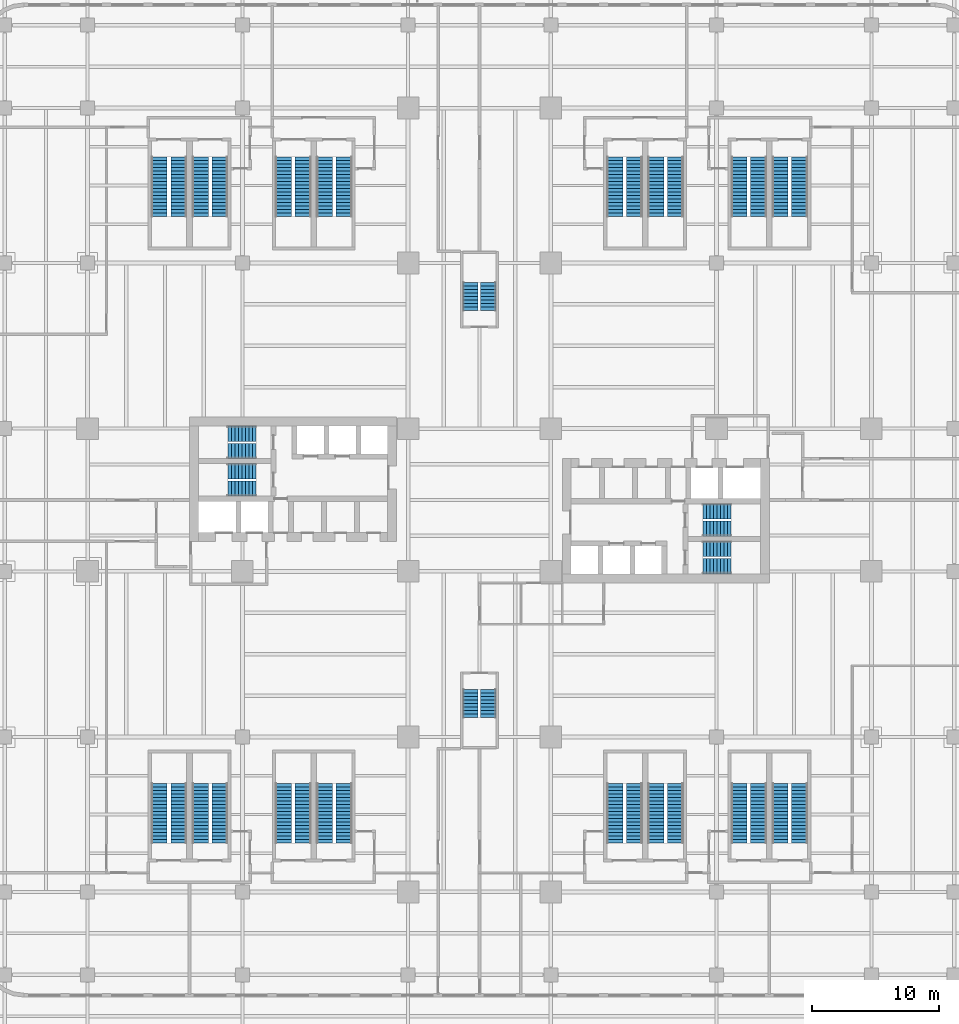
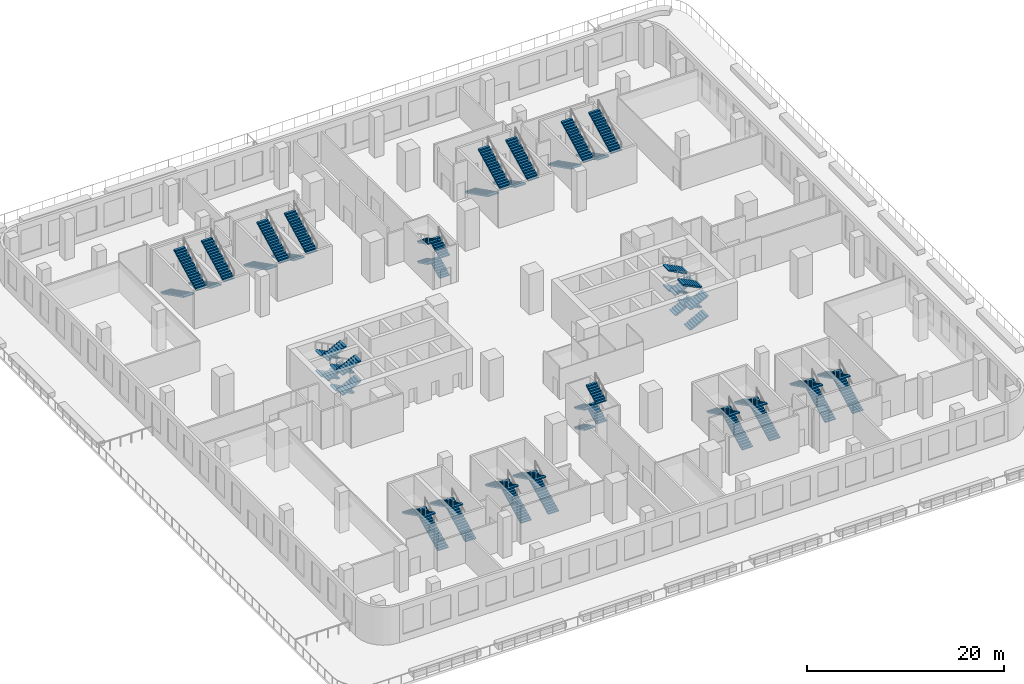
# One storey, part 16 of 18: 56 stair flights, 22 elements without a shape of their own.
"""IFC4 building model written with IfcOpenShell, lengths in metres."""

from ifc_helpers import new_model, si_unit, direction, frame, origin, place, context, subcontext, project, spatial, polyline, outline, extrude, source, transform, mapped, material, type_object, element, aggregate, save


model = new_model("IFC4")

# Units and contexts
model_context = context("Model", 3, precision=1e-05, world=origin(), true_north=direction((0.0, 1.0)))
body_context = subcontext(model_context, "Body", "Model", "MODEL_VIEW")
ifc_project = project(units=[si_unit("LENGTHUNIT", "METRE"), si_unit("AREAUNIT", "SQUARE_METRE"), si_unit("VOLUMEUNIT", "CUBIC_METRE"), si_unit("PLANEANGLEUNIT", "RADIAN"), si_unit("MASSUNIT", "GRAM", prefix="KILO")], contexts=[model_context])

# Site, building, storey
site_placement = place(None, origin())
site = spatial("IfcSite", under=ifc_project, at=site_placement, CompositionType="ELEMENT")
building_placement = place(site_placement, origin())
building = spatial("IfcBuilding", under=site, at=building_placement, Name="Trellis Farm Tower", CompositionType="ELEMENT")
storey_placement = place(building_placement, frame((0.0, 0.0, 14.0)))
storey = spatial("IfcBuildingStorey", under=building, at=storey_placement, Name="L02", CompositionType="ELEMENT", Elevation=14.0)

# Stair, stair flights
ifc_material = material(Name="Concrete C50/60", Category="concrete")
stair_type_1 = type_object("IfcStairType", Name="CORE EXIT STAIR 36 RISERS 139 MM", PredefinedType="HALF_TURN_STAIR", material=ifc_material)
placement = place(storey_placement, origin())
stair_1 = element("IfcStair", 1, at=placement, inside=storey, type_object=stair_type_1, Name="Exit stair N", PredefinedType="HALF_TURN_STAIR")
stair_flight_type_1 = type_object("IfcStairFlightType", Name="STAIR FLIGHT 9 RISERS 139 MM", PredefinedType="STRAIGHT", material=ifc_material)
shared_shape_1 = source(origin(), body_context, "Body", "SweptSolid", [
    extrude(outline(polyline([(0.0, 0.0), (0.0, 0.138916015625), (0.27490234375, 0.138916015625), (0.27490234375, 0.27783203125), (0.550048828125, 0.27783203125), (0.550048828125, 0.416748046875), (0.824951171875, 0.416748046875), (0.824951171875, 0.5556640625), (1.10009765625, 0.5556640625), (1.10009765625, 0.6943359375), (1.375, 0.6943359375), (1.375, 0.833251953125), (1.64990234375, 0.833251953125), (1.64990234375, 0.97216796875), (1.925048828125, 0.97216796875), (1.925048828125, 1.111083984375), (2.199951171875, 1.111083984375), (2.199951171875, 1.25), (2.199951171875, 0.965576171875), (0.2880859375, 0.0), (0.0, 0.0)])), frame((0.0, 0.60009765625, 0.0), z_axis=(0.0, -1.0, 0.0), x_axis=(1.0, 0.0, 0.0)), (0.0, 0.0, 1.0), 1.199951171875),
])
stair_flight_1_placement = place(storey_placement, frame((0.699951171875, 14.85009765625, 0.0), z_axis=(0.0, 0.0, 1.0), x_axis=(0.0, 1.0, 0.0)))
stair_flight_1 = element("IfcStairFlight", 2, at=stair_flight_1_placement, type_object=stair_flight_type_1, Name="STN flight 1", NumberOfRisers=9, NumberOfTreads=8, PredefinedType="STRAIGHT", RiserHeight=0.138888889, TreadLength=0.275, context=body_context, shape_type="MappedRepresentation", body=[
    mapped(shared_shape_1, transform((0.0, 0.0, 0.0))),
])
stair_flight_2_placement = place(storey_placement, frame((-0.699951171875, 17.050048828125, 1.25), z_axis=(0.0, 0.0, 1.0), x_axis=(0.0, -1.0, 0.0)))
stair_flight_2 = element("IfcStairFlight", 3, at=stair_flight_2_placement, type_object=stair_flight_type_1, Name="STN flight 2", NumberOfRisers=9, NumberOfTreads=8, PredefinedType="STRAIGHT", RiserHeight=0.138888889, TreadLength=0.275, context=body_context, shape_type="MappedRepresentation", body=[
    mapped(shared_shape_1, transform((0.0, 0.0, 0.0))),
])
stair_flight_3_placement = place(storey_placement, frame((0.699951171875, 14.85009765625, 2.5), z_axis=(0.0, 0.0, 1.0), x_axis=(0.0, 1.0, 0.0)))
stair_flight_3 = element("IfcStairFlight", 4, at=stair_flight_3_placement, type_object=stair_flight_type_1, Name="STN flight 3", NumberOfRisers=9, NumberOfTreads=8, PredefinedType="STRAIGHT", RiserHeight=0.138888889, TreadLength=0.275, context=body_context, shape_type="MappedRepresentation", body=[
    mapped(shared_shape_1, transform((0.0, 0.0, 0.0))),
])
stair_flight_4_placement = place(storey_placement, frame((-0.699951171875, 17.050048828125, 3.75), z_axis=(0.0, 0.0, 1.0), x_axis=(0.0, -1.0, 0.0)))
stair_flight_4 = element("IfcStairFlight", 5, at=stair_flight_4_placement, type_object=stair_flight_type_1, Name="STN flight 4", NumberOfRisers=9, NumberOfTreads=8, PredefinedType="STRAIGHT", RiserHeight=0.138888889, TreadLength=0.275, context=body_context, shape_type="MappedRepresentation", body=[
    mapped(shared_shape_1, transform((0.0, 0.0, 0.0))),
])
aggregate(stair_1, [stair_flight_1, stair_flight_2, stair_flight_3, stair_flight_4])

stair_2 = element("IfcStair", 6, at=placement, inside=storey, type_object=stair_type_1, Name="Exit stair S", PredefinedType="HALF_TURN_STAIR")
stair_flight_5_placement = place(storey_placement, frame((-0.699951171875, -14.85009765625, 0.0), z_axis=(0.0, 0.0, 1.0), x_axis=(0.0, -1.0, 0.0)))
stair_flight_5 = element("IfcStairFlight", 7, at=stair_flight_5_placement, type_object=stair_flight_type_1, Name="STS flight 1", NumberOfRisers=9, NumberOfTreads=8, PredefinedType="STRAIGHT", RiserHeight=0.138888889, TreadLength=0.275, context=body_context, shape_type="MappedRepresentation", body=[
    mapped(shared_shape_1, transform((0.0, 0.0, 0.0))),
])
stair_flight_6_placement = place(storey_placement, frame((0.699951171875, -17.050048828125, 1.25), z_axis=(0.0, 0.0, 1.0), x_axis=(0.0, 1.0, 0.0)))
stair_flight_6 = element("IfcStairFlight", 8, at=stair_flight_6_placement, type_object=stair_flight_type_1, Name="STS flight 2", NumberOfRisers=9, NumberOfTreads=8, PredefinedType="STRAIGHT", RiserHeight=0.138888889, TreadLength=0.275, context=body_context, shape_type="MappedRepresentation", body=[
    mapped(shared_shape_1, transform((0.0, 0.0, 0.0))),
])
stair_flight_7_placement = place(storey_placement, frame((-0.699951171875, -14.85009765625, 2.5), z_axis=(0.0, 0.0, 1.0), x_axis=(0.0, -1.0, 0.0)))
stair_flight_7 = element("IfcStairFlight", 9, at=stair_flight_7_placement, type_object=stair_flight_type_1, Name="STS flight 3", NumberOfRisers=9, NumberOfTreads=8, PredefinedType="STRAIGHT", RiserHeight=0.138888889, TreadLength=0.275, context=body_context, shape_type="MappedRepresentation", body=[
    mapped(shared_shape_1, transform((0.0, 0.0, 0.0))),
])
stair_flight_8_placement = place(storey_placement, frame((0.699951171875, -17.050048828125, 3.75), z_axis=(0.0, 0.0, 1.0), x_axis=(0.0, 1.0, 0.0)))
stair_flight_8 = element("IfcStairFlight", 10, at=stair_flight_8_placement, type_object=stair_flight_type_1, Name="STS flight 4", NumberOfRisers=9, NumberOfTreads=8, PredefinedType="STRAIGHT", RiserHeight=0.138888889, TreadLength=0.275, context=body_context, shape_type="MappedRepresentation", body=[
    mapped(shared_shape_1, transform((0.0, 0.0, 0.0))),
])
aggregate(stair_2, [stair_flight_5, stair_flight_6, stair_flight_7, stair_flight_8])

stair_3 = element("IfcStair", 11, at=placement, inside=storey, type_object=stair_type_1, Name="Exit stair E1", PredefinedType="HALF_TURN_STAIR")
stair_flight_9_placement = place(storey_placement, frame((17.550048828125, -5.199951171875, 0.0), z_axis=(0.0, 0.0, 1.0), x_axis=(1.0, 0.0, 0.0)))
stair_flight_9 = element("IfcStairFlight", 12, at=stair_flight_9_placement, type_object=stair_flight_type_1, Name="STE1 flight 1", NumberOfRisers=9, NumberOfTreads=8, PredefinedType="STRAIGHT", RiserHeight=0.138888889, TreadLength=0.275, context=body_context, shape_type="MappedRepresentation", body=[
    mapped(shared_shape_1, transform((0.0, 0.0, 0.0))),
])
stair_flight_10_placement = place(storey_placement, frame((19.75, -3.85009765625, 1.25), z_axis=(0.0, 0.0, 1.0), x_axis=(-1.0, 0.0, 0.0)))
stair_flight_10 = element("IfcStairFlight", 13, at=stair_flight_10_placement, type_object=stair_flight_type_1, Name="STE1 flight 2", NumberOfRisers=9, NumberOfTreads=8, PredefinedType="STRAIGHT", RiserHeight=0.138888889, TreadLength=0.275, context=body_context, shape_type="MappedRepresentation", body=[
    mapped(shared_shape_1, transform((0.0, 0.0, 0.0))),
])
stair_flight_11_placement = place(storey_placement, frame((17.550048828125, -5.199951171875, 2.5), z_axis=(0.0, 0.0, 1.0), x_axis=(1.0, 0.0, 0.0)))
stair_flight_11 = element("IfcStairFlight", 14, at=stair_flight_11_placement, type_object=stair_flight_type_1, Name="STE1 flight 3", NumberOfRisers=9, NumberOfTreads=8, PredefinedType="STRAIGHT", RiserHeight=0.138888889, TreadLength=0.275, context=body_context, shape_type="MappedRepresentation", body=[
    mapped(shared_shape_1, transform((0.0, 0.0, 0.0))),
])
stair_flight_12_placement = place(storey_placement, frame((19.75, -3.85009765625, 3.75), z_axis=(0.0, 0.0, 1.0), x_axis=(-1.0, 0.0, 0.0)))
stair_flight_12 = element("IfcStairFlight", 15, at=stair_flight_12_placement, type_object=stair_flight_type_1, Name="STE1 flight 4", NumberOfRisers=9, NumberOfTreads=8, PredefinedType="STRAIGHT", RiserHeight=0.138888889, TreadLength=0.275, context=body_context, shape_type="MappedRepresentation", body=[
    mapped(shared_shape_1, transform((0.0, 0.0, 0.0))),
])
aggregate(stair_3, [stair_flight_9, stair_flight_10, stair_flight_11, stair_flight_12])

stair_4 = element("IfcStair", 16, at=placement, inside=storey, type_object=stair_type_1, Name="Exit stair E2", PredefinedType="HALF_TURN_STAIR")
stair_flight_13_placement = place(storey_placement, frame((17.550048828125, -2.25, 0.0), z_axis=(0.0, 0.0, 1.0), x_axis=(1.0, 0.0, 0.0)))
stair_flight_13 = element("IfcStairFlight", 17, at=stair_flight_13_placement, type_object=stair_flight_type_1, Name="STE2 flight 1", NumberOfRisers=9, NumberOfTreads=8, PredefinedType="STRAIGHT", RiserHeight=0.138888889, TreadLength=0.275, context=body_context, shape_type="MappedRepresentation", body=[
    mapped(shared_shape_1, transform((0.0, 0.0, 0.0))),
])
stair_flight_14_placement = place(storey_placement, frame((19.75, -0.89990234375, 1.25), z_axis=(0.0, 0.0, 1.0), x_axis=(-1.0, 0.0, 0.0)))
stair_flight_14 = element("IfcStairFlight", 18, at=stair_flight_14_placement, type_object=stair_flight_type_1, Name="STE2 flight 2", NumberOfRisers=9, NumberOfTreads=8, PredefinedType="STRAIGHT", RiserHeight=0.138888889, TreadLength=0.275, context=body_context, shape_type="MappedRepresentation", body=[
    mapped(shared_shape_1, transform((0.0, 0.0, 0.0))),
])
stair_flight_15_placement = place(storey_placement, frame((17.550048828125, -2.25, 2.5), z_axis=(0.0, 0.0, 1.0), x_axis=(1.0, 0.0, 0.0)))
stair_flight_15 = element("IfcStairFlight", 19, at=stair_flight_15_placement, type_object=stair_flight_type_1, Name="STE2 flight 3", NumberOfRisers=9, NumberOfTreads=8, PredefinedType="STRAIGHT", RiserHeight=0.138888889, TreadLength=0.275, context=body_context, shape_type="MappedRepresentation", body=[
    mapped(shared_shape_1, transform((0.0, 0.0, 0.0))),
])
stair_flight_16_placement = place(storey_placement, frame((19.75, -0.89990234375, 3.75), z_axis=(0.0, 0.0, 1.0), x_axis=(-1.0, 0.0, 0.0)))
stair_flight_16 = element("IfcStairFlight", 20, at=stair_flight_16_placement, type_object=stair_flight_type_1, Name="STE2 flight 4", NumberOfRisers=9, NumberOfTreads=8, PredefinedType="STRAIGHT", RiserHeight=0.138888889, TreadLength=0.275, context=body_context, shape_type="MappedRepresentation", body=[
    mapped(shared_shape_1, transform((0.0, 0.0, 0.0))),
])
aggregate(stair_4, [stair_flight_13, stair_flight_14, stair_flight_15, stair_flight_16])

stair_5 = element("IfcStair", 21, at=placement, inside=storey, type_object=stair_type_1, Name="Exit stair W1", PredefinedType="HALF_TURN_STAIR")
stair_flight_17_placement = place(storey_placement, frame((-17.550048828125, 5.199951171875, 0.0), z_axis=(0.0, 0.0, 1.0), x_axis=(-1.0, 0.0, 0.0)))
stair_flight_17 = element("IfcStairFlight", 22, at=stair_flight_17_placement, type_object=stair_flight_type_1, Name="STW1 flight 1", NumberOfRisers=9, NumberOfTreads=8, PredefinedType="STRAIGHT", RiserHeight=0.138888889, TreadLength=0.275, context=body_context, shape_type="MappedRepresentation", body=[
    mapped(shared_shape_1, transform((0.0, 0.0, 0.0))),
])
stair_flight_18_placement = place(storey_placement, frame((-19.75, 3.85009765625, 1.25), z_axis=(0.0, 0.0, 1.0), x_axis=(1.0, 0.0, 0.0)))
stair_flight_18 = element("IfcStairFlight", 23, at=stair_flight_18_placement, type_object=stair_flight_type_1, Name="STW1 flight 2", NumberOfRisers=9, NumberOfTreads=8, PredefinedType="STRAIGHT", RiserHeight=0.138888889, TreadLength=0.275, context=body_context, shape_type="MappedRepresentation", body=[
    mapped(shared_shape_1, transform((0.0, 0.0, 0.0))),
])
stair_flight_19_placement = place(storey_placement, frame((-17.550048828125, 5.199951171875, 2.5), z_axis=(0.0, 0.0, 1.0), x_axis=(-1.0, 0.0, 0.0)))
stair_flight_19 = element("IfcStairFlight", 24, at=stair_flight_19_placement, type_object=stair_flight_type_1, Name="STW1 flight 3", NumberOfRisers=9, NumberOfTreads=8, PredefinedType="STRAIGHT", RiserHeight=0.138888889, TreadLength=0.275, context=body_context, shape_type="MappedRepresentation", body=[
    mapped(shared_shape_1, transform((0.0, 0.0, 0.0))),
])
stair_flight_20_placement = place(storey_placement, frame((-19.75, 3.85009765625, 3.75), z_axis=(0.0, 0.0, 1.0), x_axis=(1.0, 0.0, 0.0)))
stair_flight_20 = element("IfcStairFlight", 25, at=stair_flight_20_placement, type_object=stair_flight_type_1, Name="STW1 flight 4", NumberOfRisers=9, NumberOfTreads=8, PredefinedType="STRAIGHT", RiserHeight=0.138888889, TreadLength=0.275, context=body_context, shape_type="MappedRepresentation", body=[
    mapped(shared_shape_1, transform((0.0, 0.0, 0.0))),
])
aggregate(stair_5, [stair_flight_17, stair_flight_18, stair_flight_19, stair_flight_20])

stair_6 = element("IfcStair", 26, at=placement, inside=storey, type_object=stair_type_1, Name="Exit stair W2", PredefinedType="HALF_TURN_STAIR")
stair_flight_21_placement = place(storey_placement, frame((-17.550048828125, 2.25, 0.0), z_axis=(0.0, 0.0, 1.0), x_axis=(-1.0, 0.0, 0.0)))
stair_flight_21 = element("IfcStairFlight", 27, at=stair_flight_21_placement, type_object=stair_flight_type_1, Name="STW2 flight 1", NumberOfRisers=9, NumberOfTreads=8, PredefinedType="STRAIGHT", RiserHeight=0.138888889, TreadLength=0.275, context=body_context, shape_type="MappedRepresentation", body=[
    mapped(shared_shape_1, transform((0.0, 0.0, 0.0))),
])
stair_flight_22_placement = place(storey_placement, frame((-19.75, 0.89990234375, 1.25), z_axis=(0.0, 0.0, 1.0), x_axis=(1.0, 0.0, 0.0)))
stair_flight_22 = element("IfcStairFlight", 28, at=stair_flight_22_placement, type_object=stair_flight_type_1, Name="STW2 flight 2", NumberOfRisers=9, NumberOfTreads=8, PredefinedType="STRAIGHT", RiserHeight=0.138888889, TreadLength=0.275, context=body_context, shape_type="MappedRepresentation", body=[
    mapped(shared_shape_1, transform((0.0, 0.0, 0.0))),
])
stair_flight_23_placement = place(storey_placement, frame((-17.550048828125, 2.25, 2.5), z_axis=(0.0, 0.0, 1.0), x_axis=(-1.0, 0.0, 0.0)))
stair_flight_23 = element("IfcStairFlight", 29, at=stair_flight_23_placement, type_object=stair_flight_type_1, Name="STW2 flight 3", NumberOfRisers=9, NumberOfTreads=8, PredefinedType="STRAIGHT", RiserHeight=0.138888889, TreadLength=0.275, context=body_context, shape_type="MappedRepresentation", body=[
    mapped(shared_shape_1, transform((0.0, 0.0, 0.0))),
])
stair_flight_24_placement = place(storey_placement, frame((-19.75, 0.89990234375, 3.75), z_axis=(0.0, 0.0, 1.0), x_axis=(1.0, 0.0, 0.0)))
stair_flight_24 = element("IfcStairFlight", 30, at=stair_flight_24_placement, type_object=stair_flight_type_1, Name="STW2 flight 4", NumberOfRisers=9, NumberOfTreads=8, PredefinedType="STRAIGHT", RiserHeight=0.138888889, TreadLength=0.275, context=body_context, shape_type="MappedRepresentation", body=[
    mapped(shared_shape_1, transform((0.0, 0.0, 0.0))),
])
aggregate(stair_6, [stair_flight_21, stair_flight_22, stair_flight_23, stair_flight_24])

stair_type_2 = type_object("IfcStairType", Name="PODIUM EXIT STAIR 36 RISERS 139 MM 1250 WIDE", PredefinedType="HALF_TURN_STAIR", material=ifc_material)
stair_7 = element("IfcStair", 31, at=placement, inside=storey, type_object=stair_type_2, Name="Podium exit stair STP1A", PredefinedType="HALF_TURN_STAIR")
stair_flight_type_2 = type_object("IfcStairFlightType", Name="PODIUM STAIR FLIGHT 18 RISERS 139 MM 1250 WIDE", PredefinedType="STRAIGHT", material=ifc_material)
shared_shape_2 = source(origin(), body_context, "Body", "SweptSolid", [
    extrude(outline(polyline([(0.0, 0.0), (0.0, 0.138916015625), (0.27490234375, 0.138916015625), (0.27490234375, 0.27783203125), (0.550048828125, 0.27783203125), (0.550048828125, 0.416748046875), (0.824951171875, 0.416748046875), (0.824951171875, 0.5556640625), (1.10009765625, 0.5556640625), (1.10009765625, 0.6943359375), (1.375, 0.6943359375), (1.375, 0.833251953125), (1.64990234375, 0.833251953125), (1.64990234375, 0.97216796875), (1.925048828125, 0.97216796875), (1.925048828125, 1.111083984375), (2.199951171875, 1.111083984375), (2.199951171875, 1.25), (2.47509765625, 1.25), (2.47509765625, 1.388916015625), (2.75, 1.388916015625), (2.75, 1.52783203125), (3.02490234375, 1.52783203125), (3.02490234375, 1.666748046875), (3.300048828125, 1.666748046875), (3.300048828125, 1.8056640625), (3.574951171875, 1.8056640625), (3.574951171875, 1.9443359375), (3.85009765625, 1.9443359375), (3.85009765625, 2.083251953125), (4.125, 2.083251953125), (4.125, 2.22216796875), (4.39990234375, 2.22216796875), (4.39990234375, 2.361083984375), (4.675048828125, 2.361083984375), (4.675048828125, 2.5), (4.675048828125, 2.215576171875), (0.2880859375, 0.0), (0.0, 0.0)])), frame((0.0, 0.625, 0.0), z_axis=(0.0, -1.0, 0.0), x_axis=(1.0, 0.0, 0.0)), (0.0, 0.0, 1.0), 1.25),
])
stair_flight_25_placement = place(storey_placement, frame((-25.125, 26.89990234375, 0.0), z_axis=(0.0, 0.0, 1.0), x_axis=(0.0, -1.0, 0.0)))
stair_flight_25 = element("IfcStairFlight", 32, at=stair_flight_25_placement, type_object=stair_flight_type_2, Name="STP1A flight 1", NumberOfRisers=18, NumberOfTreads=17, PredefinedType="STRAIGHT", RiserHeight=0.138888889, TreadLength=0.275, context=body_context, shape_type="MappedRepresentation", body=[
    mapped(shared_shape_2, transform((0.0, 0.0, 0.0))),
])
stair_flight_26_placement = place(storey_placement, frame((-23.594970703125, 22.22509765625, 2.5), z_axis=(0.0, 0.0, 1.0), x_axis=(0.0, 1.0, 0.0)))
stair_flight_26 = element("IfcStairFlight", 33, at=stair_flight_26_placement, type_object=stair_flight_type_2, Name="STP1A flight 2", NumberOfRisers=18, NumberOfTreads=17, PredefinedType="STRAIGHT", RiserHeight=0.138888889, TreadLength=0.275, context=body_context, shape_type="MappedRepresentation", body=[
    mapped(shared_shape_2, transform((0.0, 0.0, 0.0))),
])
aggregate(stair_7, [stair_flight_25, stair_flight_26])

stair_8 = element("IfcStair", 34, at=placement, inside=storey, type_object=stair_type_2, Name="Podium exit stair STP1B", PredefinedType="HALF_TURN_STAIR")
stair_flight_27_placement = place(storey_placement, frame((-21.905029296875, 26.89990234375, 0.0), z_axis=(0.0, 0.0, 1.0), x_axis=(0.0, -1.0, 0.0)))
stair_flight_27 = element("IfcStairFlight", 35, at=stair_flight_27_placement, type_object=stair_flight_type_2, Name="STP1B flight 1", NumberOfRisers=18, NumberOfTreads=17, PredefinedType="STRAIGHT", RiserHeight=0.138888889, TreadLength=0.275, context=body_context, shape_type="MappedRepresentation", body=[
    mapped(shared_shape_2, transform((0.0, 0.0, 0.0))),
])
stair_flight_28_placement = place(storey_placement, frame((-20.375, 22.22509765625, 2.5), z_axis=(0.0, 0.0, 1.0), x_axis=(0.0, 1.0, 0.0)))
stair_flight_28 = element("IfcStairFlight", 36, at=stair_flight_28_placement, type_object=stair_flight_type_2, Name="STP1B flight 2", NumberOfRisers=18, NumberOfTreads=17, PredefinedType="STRAIGHT", RiserHeight=0.138888889, TreadLength=0.275, context=body_context, shape_type="MappedRepresentation", body=[
    mapped(shared_shape_2, transform((0.0, 0.0, 0.0))),
])
aggregate(stair_8, [stair_flight_27, stair_flight_28])

stair_9 = element("IfcStair", 37, at=placement, inside=storey, type_object=stair_type_2, Name="Podium exit stair STP2A", PredefinedType="HALF_TURN_STAIR")
stair_flight_29_placement = place(storey_placement, frame((-15.375, 26.89990234375, 0.0), z_axis=(0.0, 0.0, 1.0), x_axis=(0.0, -1.0, 0.0)))
stair_flight_29 = element("IfcStairFlight", 38, at=stair_flight_29_placement, type_object=stair_flight_type_2, Name="STP2A flight 1", NumberOfRisers=18, NumberOfTreads=17, PredefinedType="STRAIGHT", RiserHeight=0.138888889, TreadLength=0.275, context=body_context, shape_type="MappedRepresentation", body=[
    mapped(shared_shape_2, transform((0.0, 0.0, 0.0))),
])
stair_flight_30_placement = place(storey_placement, frame((-13.844970703125, 22.22509765625, 2.5), z_axis=(0.0, 0.0, 1.0), x_axis=(0.0, 1.0, 0.0)))
stair_flight_30 = element("IfcStairFlight", 39, at=stair_flight_30_placement, type_object=stair_flight_type_2, Name="STP2A flight 2", NumberOfRisers=18, NumberOfTreads=17, PredefinedType="STRAIGHT", RiserHeight=0.138888889, TreadLength=0.275, context=body_context, shape_type="MappedRepresentation", body=[
    mapped(shared_shape_2, transform((0.0, 0.0, 0.0))),
])
aggregate(stair_9, [stair_flight_29, stair_flight_30])

stair_10 = element("IfcStair", 40, at=placement, inside=storey, type_object=stair_type_2, Name="Podium exit stair STP2B", PredefinedType="HALF_TURN_STAIR")
stair_flight_31_placement = place(storey_placement, frame((-12.155029296875, 26.89990234375, 0.0), z_axis=(0.0, 0.0, 1.0), x_axis=(0.0, -1.0, 0.0)))
stair_flight_31 = element("IfcStairFlight", 41, at=stair_flight_31_placement, type_object=stair_flight_type_2, Name="STP2B flight 1", NumberOfRisers=18, NumberOfTreads=17, PredefinedType="STRAIGHT", RiserHeight=0.138888889, TreadLength=0.275, context=body_context, shape_type="MappedRepresentation", body=[
    mapped(shared_shape_2, transform((0.0, 0.0, 0.0))),
])
stair_flight_32_placement = place(storey_placement, frame((-10.625, 22.22509765625, 2.5), z_axis=(0.0, 0.0, 1.0), x_axis=(0.0, 1.0, 0.0)))
stair_flight_32 = element("IfcStairFlight", 42, at=stair_flight_32_placement, type_object=stair_flight_type_2, Name="STP2B flight 2", NumberOfRisers=18, NumberOfTreads=17, PredefinedType="STRAIGHT", RiserHeight=0.138888889, TreadLength=0.275, context=body_context, shape_type="MappedRepresentation", body=[
    mapped(shared_shape_2, transform((0.0, 0.0, 0.0))),
])
aggregate(stair_10, [stair_flight_31, stair_flight_32])

stair_11 = element("IfcStair", 43, at=placement, inside=storey, type_object=stair_type_2, Name="Podium exit stair STP3A", PredefinedType="HALF_TURN_STAIR")
stair_flight_33_placement = place(storey_placement, frame((10.625, 26.89990234375, 0.0), z_axis=(0.0, 0.0, 1.0), x_axis=(0.0, -1.0, 0.0)))
stair_flight_33 = element("IfcStairFlight", 44, at=stair_flight_33_placement, type_object=stair_flight_type_2, Name="STP3A flight 1", NumberOfRisers=18, NumberOfTreads=17, PredefinedType="STRAIGHT", RiserHeight=0.138888889, TreadLength=0.275, context=body_context, shape_type="MappedRepresentation", body=[
    mapped(shared_shape_2, transform((0.0, 0.0, 0.0))),
])
stair_flight_34_placement = place(storey_placement, frame((12.155029296875, 22.22509765625, 2.5), z_axis=(0.0, 0.0, 1.0), x_axis=(0.0, 1.0, 0.0)))
stair_flight_34 = element("IfcStairFlight", 45, at=stair_flight_34_placement, type_object=stair_flight_type_2, Name="STP3A flight 2", NumberOfRisers=18, NumberOfTreads=17, PredefinedType="STRAIGHT", RiserHeight=0.138888889, TreadLength=0.275, context=body_context, shape_type="MappedRepresentation", body=[
    mapped(shared_shape_2, transform((0.0, 0.0, 0.0))),
])
aggregate(stair_11, [stair_flight_33, stair_flight_34])

stair_12 = element("IfcStair", 46, at=placement, inside=storey, type_object=stair_type_2, Name="Podium exit stair STP3B", PredefinedType="HALF_TURN_STAIR")
stair_flight_35_placement = place(storey_placement, frame((13.844970703125, 26.89990234375, 0.0), z_axis=(0.0, 0.0, 1.0), x_axis=(0.0, -1.0, 0.0)))
stair_flight_35 = element("IfcStairFlight", 47, at=stair_flight_35_placement, type_object=stair_flight_type_2, Name="STP3B flight 1", NumberOfRisers=18, NumberOfTreads=17, PredefinedType="STRAIGHT", RiserHeight=0.138888889, TreadLength=0.275, context=body_context, shape_type="MappedRepresentation", body=[
    mapped(shared_shape_2, transform((0.0, 0.0, 0.0))),
])
stair_flight_36_placement = place(storey_placement, frame((15.375, 22.22509765625, 2.5), z_axis=(0.0, 0.0, 1.0), x_axis=(0.0, 1.0, 0.0)))
stair_flight_36 = element("IfcStairFlight", 48, at=stair_flight_36_placement, type_object=stair_flight_type_2, Name="STP3B flight 2", NumberOfRisers=18, NumberOfTreads=17, PredefinedType="STRAIGHT", RiserHeight=0.138888889, TreadLength=0.275, context=body_context, shape_type="MappedRepresentation", body=[
    mapped(shared_shape_2, transform((0.0, 0.0, 0.0))),
])
aggregate(stair_12, [stair_flight_35, stair_flight_36])

stair_13 = element("IfcStair", 49, at=placement, inside=storey, type_object=stair_type_2, Name="Podium exit stair STP4A", PredefinedType="HALF_TURN_STAIR")
stair_flight_37_placement = place(storey_placement, frame((20.375, 26.89990234375, 0.0), z_axis=(0.0, 0.0, 1.0), x_axis=(0.0, -1.0, 0.0)))
stair_flight_37 = element("IfcStairFlight", 50, at=stair_flight_37_placement, type_object=stair_flight_type_2, Name="STP4A flight 1", NumberOfRisers=18, NumberOfTreads=17, PredefinedType="STRAIGHT", RiserHeight=0.138888889, TreadLength=0.275, context=body_context, shape_type="MappedRepresentation", body=[
    mapped(shared_shape_2, transform((0.0, 0.0, 0.0))),
])
stair_flight_38_placement = place(storey_placement, frame((21.905029296875, 22.22509765625, 2.5), z_axis=(0.0, 0.0, 1.0), x_axis=(0.0, 1.0, 0.0)))
stair_flight_38 = element("IfcStairFlight", 51, at=stair_flight_38_placement, type_object=stair_flight_type_2, Name="STP4A flight 2", NumberOfRisers=18, NumberOfTreads=17, PredefinedType="STRAIGHT", RiserHeight=0.138888889, TreadLength=0.275, context=body_context, shape_type="MappedRepresentation", body=[
    mapped(shared_shape_2, transform((0.0, 0.0, 0.0))),
])
aggregate(stair_13, [stair_flight_37, stair_flight_38])

stair_14 = element("IfcStair", 52, at=placement, inside=storey, type_object=stair_type_2, Name="Podium exit stair STP4B", PredefinedType="HALF_TURN_STAIR")
stair_flight_39_placement = place(storey_placement, frame((23.594970703125, 26.89990234375, 0.0), z_axis=(0.0, 0.0, 1.0), x_axis=(0.0, -1.0, 0.0)))
stair_flight_39 = element("IfcStairFlight", 53, at=stair_flight_39_placement, type_object=stair_flight_type_2, Name="STP4B flight 1", NumberOfRisers=18, NumberOfTreads=17, PredefinedType="STRAIGHT", RiserHeight=0.138888889, TreadLength=0.275, context=body_context, shape_type="MappedRepresentation", body=[
    mapped(shared_shape_2, transform((0.0, 0.0, 0.0))),
])
stair_flight_40_placement = place(storey_placement, frame((25.125, 22.22509765625, 2.5), z_axis=(0.0, 0.0, 1.0), x_axis=(0.0, 1.0, 0.0)))
stair_flight_40 = element("IfcStairFlight", 54, at=stair_flight_40_placement, type_object=stair_flight_type_2, Name="STP4B flight 2", NumberOfRisers=18, NumberOfTreads=17, PredefinedType="STRAIGHT", RiserHeight=0.138888889, TreadLength=0.275, context=body_context, shape_type="MappedRepresentation", body=[
    mapped(shared_shape_2, transform((0.0, 0.0, 0.0))),
])
aggregate(stair_14, [stair_flight_39, stair_flight_40])

stair_15 = element("IfcStair", 55, at=placement, inside=storey, type_object=stair_type_2, Name="Podium exit stair STP5A", PredefinedType="HALF_TURN_STAIR")
stair_flight_41_placement = place(storey_placement, frame((-23.594970703125, -26.89990234375, 0.0), z_axis=(0.0, 0.0, 1.0), x_axis=(0.0, 1.0, 0.0)))
stair_flight_41 = element("IfcStairFlight", 56, at=stair_flight_41_placement, type_object=stair_flight_type_2, Name="STP5A flight 1", NumberOfRisers=18, NumberOfTreads=17, PredefinedType="STRAIGHT", RiserHeight=0.138888889, TreadLength=0.275, context=body_context, shape_type="MappedRepresentation", body=[
    mapped(shared_shape_2, transform((0.0, 0.0, 0.0))),
])
stair_flight_42_placement = place(storey_placement, frame((-25.125, -22.22509765625, 2.5), z_axis=(0.0, 0.0, 1.0), x_axis=(0.0, -1.0, 0.0)))
stair_flight_42 = element("IfcStairFlight", 57, at=stair_flight_42_placement, type_object=stair_flight_type_2, Name="STP5A flight 2", NumberOfRisers=18, NumberOfTreads=17, PredefinedType="STRAIGHT", RiserHeight=0.138888889, TreadLength=0.275, context=body_context, shape_type="MappedRepresentation", body=[
    mapped(shared_shape_2, transform((0.0, 0.0, 0.0))),
])
aggregate(stair_15, [stair_flight_41, stair_flight_42])

stair_16 = element("IfcStair", 58, at=placement, inside=storey, type_object=stair_type_2, Name="Podium exit stair STP5B", PredefinedType="HALF_TURN_STAIR")
stair_flight_43_placement = place(storey_placement, frame((-20.375, -26.89990234375, 0.0), z_axis=(0.0, 0.0, 1.0), x_axis=(0.0, 1.0, 0.0)))
stair_flight_43 = element("IfcStairFlight", 59, at=stair_flight_43_placement, type_object=stair_flight_type_2, Name="STP5B flight 1", NumberOfRisers=18, NumberOfTreads=17, PredefinedType="STRAIGHT", RiserHeight=0.138888889, TreadLength=0.275, context=body_context, shape_type="MappedRepresentation", body=[
    mapped(shared_shape_2, transform((0.0, 0.0, 0.0))),
])
stair_flight_44_placement = place(storey_placement, frame((-21.905029296875, -22.22509765625, 2.5), z_axis=(0.0, 0.0, 1.0), x_axis=(0.0, -1.0, 0.0)))
stair_flight_44 = element("IfcStairFlight", 60, at=stair_flight_44_placement, type_object=stair_flight_type_2, Name="STP5B flight 2", NumberOfRisers=18, NumberOfTreads=17, PredefinedType="STRAIGHT", RiserHeight=0.138888889, TreadLength=0.275, context=body_context, shape_type="MappedRepresentation", body=[
    mapped(shared_shape_2, transform((0.0, 0.0, 0.0))),
])
aggregate(stair_16, [stair_flight_43, stair_flight_44])

stair_17 = element("IfcStair", 61, at=placement, inside=storey, type_object=stair_type_2, Name="Podium exit stair STP6A", PredefinedType="HALF_TURN_STAIR")
stair_flight_45_placement = place(storey_placement, frame((-13.844970703125, -26.89990234375, 0.0), z_axis=(0.0, 0.0, 1.0), x_axis=(0.0, 1.0, 0.0)))
stair_flight_45 = element("IfcStairFlight", 62, at=stair_flight_45_placement, type_object=stair_flight_type_2, Name="STP6A flight 1", NumberOfRisers=18, NumberOfTreads=17, PredefinedType="STRAIGHT", RiserHeight=0.138888889, TreadLength=0.275, context=body_context, shape_type="MappedRepresentation", body=[
    mapped(shared_shape_2, transform((0.0, 0.0, 0.0))),
])
stair_flight_46_placement = place(storey_placement, frame((-15.375, -22.22509765625, 2.5), z_axis=(0.0, 0.0, 1.0), x_axis=(0.0, -1.0, 0.0)))
stair_flight_46 = element("IfcStairFlight", 63, at=stair_flight_46_placement, type_object=stair_flight_type_2, Name="STP6A flight 2", NumberOfRisers=18, NumberOfTreads=17, PredefinedType="STRAIGHT", RiserHeight=0.138888889, TreadLength=0.275, context=body_context, shape_type="MappedRepresentation", body=[
    mapped(shared_shape_2, transform((0.0, 0.0, 0.0))),
])
aggregate(stair_17, [stair_flight_45, stair_flight_46])

stair_18 = element("IfcStair", 64, at=placement, inside=storey, type_object=stair_type_2, Name="Podium exit stair STP6B", PredefinedType="HALF_TURN_STAIR")
stair_flight_47_placement = place(storey_placement, frame((-10.625, -26.89990234375, 0.0), z_axis=(0.0, 0.0, 1.0), x_axis=(0.0, 1.0, 0.0)))
stair_flight_47 = element("IfcStairFlight", 65, at=stair_flight_47_placement, type_object=stair_flight_type_2, Name="STP6B flight 1", NumberOfRisers=18, NumberOfTreads=17, PredefinedType="STRAIGHT", RiserHeight=0.138888889, TreadLength=0.275, context=body_context, shape_type="MappedRepresentation", body=[
    mapped(shared_shape_2, transform((0.0, 0.0, 0.0))),
])
stair_flight_48_placement = place(storey_placement, frame((-12.155029296875, -22.22509765625, 2.5), z_axis=(0.0, 0.0, 1.0), x_axis=(0.0, -1.0, 0.0)))
stair_flight_48 = element("IfcStairFlight", 66, at=stair_flight_48_placement, type_object=stair_flight_type_2, Name="STP6B flight 2", NumberOfRisers=18, NumberOfTreads=17, PredefinedType="STRAIGHT", RiserHeight=0.138888889, TreadLength=0.275, context=body_context, shape_type="MappedRepresentation", body=[
    mapped(shared_shape_2, transform((0.0, 0.0, 0.0))),
])
aggregate(stair_18, [stair_flight_47, stair_flight_48])

stair_19 = element("IfcStair", 67, at=placement, inside=storey, type_object=stair_type_2, Name="Podium exit stair STP7A", PredefinedType="HALF_TURN_STAIR")
stair_flight_49_placement = place(storey_placement, frame((12.155029296875, -26.89990234375, 0.0), z_axis=(0.0, 0.0, 1.0), x_axis=(0.0, 1.0, 0.0)))
stair_flight_49 = element("IfcStairFlight", 68, at=stair_flight_49_placement, type_object=stair_flight_type_2, Name="STP7A flight 1", NumberOfRisers=18, NumberOfTreads=17, PredefinedType="STRAIGHT", RiserHeight=0.138888889, TreadLength=0.275, context=body_context, shape_type="MappedRepresentation", body=[
    mapped(shared_shape_2, transform((0.0, 0.0, 0.0))),
])
stair_flight_50_placement = place(storey_placement, frame((10.625, -22.22509765625, 2.5), z_axis=(0.0, 0.0, 1.0), x_axis=(0.0, -1.0, 0.0)))
stair_flight_50 = element("IfcStairFlight", 69, at=stair_flight_50_placement, type_object=stair_flight_type_2, Name="STP7A flight 2", NumberOfRisers=18, NumberOfTreads=17, PredefinedType="STRAIGHT", RiserHeight=0.138888889, TreadLength=0.275, context=body_context, shape_type="MappedRepresentation", body=[
    mapped(shared_shape_2, transform((0.0, 0.0, 0.0))),
])
aggregate(stair_19, [stair_flight_49, stair_flight_50])

stair_20 = element("IfcStair", 70, at=placement, inside=storey, type_object=stair_type_2, Name="Podium exit stair STP7B", PredefinedType="HALF_TURN_STAIR")
stair_flight_51_placement = place(storey_placement, frame((15.375, -26.89990234375, 0.0), z_axis=(0.0, 0.0, 1.0), x_axis=(0.0, 1.0, 0.0)))
stair_flight_51 = element("IfcStairFlight", 71, at=stair_flight_51_placement, type_object=stair_flight_type_2, Name="STP7B flight 1", NumberOfRisers=18, NumberOfTreads=17, PredefinedType="STRAIGHT", RiserHeight=0.138888889, TreadLength=0.275, context=body_context, shape_type="MappedRepresentation", body=[
    mapped(shared_shape_2, transform((0.0, 0.0, 0.0))),
])
stair_flight_52_placement = place(storey_placement, frame((13.844970703125, -22.22509765625, 2.5), z_axis=(0.0, 0.0, 1.0), x_axis=(0.0, -1.0, 0.0)))
stair_flight_52 = element("IfcStairFlight", 72, at=stair_flight_52_placement, type_object=stair_flight_type_2, Name="STP7B flight 2", NumberOfRisers=18, NumberOfTreads=17, PredefinedType="STRAIGHT", RiserHeight=0.138888889, TreadLength=0.275, context=body_context, shape_type="MappedRepresentation", body=[
    mapped(shared_shape_2, transform((0.0, 0.0, 0.0))),
])
aggregate(stair_20, [stair_flight_51, stair_flight_52])

stair_21 = element("IfcStair", 73, at=placement, inside=storey, type_object=stair_type_2, Name="Podium exit stair STP8A", PredefinedType="HALF_TURN_STAIR")
stair_flight_53_placement = place(storey_placement, frame((21.905029296875, -26.89990234375, 0.0), z_axis=(0.0, 0.0, 1.0), x_axis=(0.0, 1.0, 0.0)))
stair_flight_53 = element("IfcStairFlight", 74, at=stair_flight_53_placement, type_object=stair_flight_type_2, Name="STP8A flight 1", NumberOfRisers=18, NumberOfTreads=17, PredefinedType="STRAIGHT", RiserHeight=0.138888889, TreadLength=0.275, context=body_context, shape_type="MappedRepresentation", body=[
    mapped(shared_shape_2, transform((0.0, 0.0, 0.0))),
])
stair_flight_54_placement = place(storey_placement, frame((20.375, -22.22509765625, 2.5), z_axis=(0.0, 0.0, 1.0), x_axis=(0.0, -1.0, 0.0)))
stair_flight_54 = element("IfcStairFlight", 75, at=stair_flight_54_placement, type_object=stair_flight_type_2, Name="STP8A flight 2", NumberOfRisers=18, NumberOfTreads=17, PredefinedType="STRAIGHT", RiserHeight=0.138888889, TreadLength=0.275, context=body_context, shape_type="MappedRepresentation", body=[
    mapped(shared_shape_2, transform((0.0, 0.0, 0.0))),
])
aggregate(stair_21, [stair_flight_53, stair_flight_54])

stair_22 = element("IfcStair", 76, at=placement, inside=storey, type_object=stair_type_2, Name="Podium exit stair STP8B", PredefinedType="HALF_TURN_STAIR")
stair_flight_55_placement = place(storey_placement, frame((25.125, -26.89990234375, 0.0), z_axis=(0.0, 0.0, 1.0), x_axis=(0.0, 1.0, 0.0)))
stair_flight_55 = element("IfcStairFlight", 77, at=stair_flight_55_placement, type_object=stair_flight_type_2, Name="STP8B flight 1", NumberOfRisers=18, NumberOfTreads=17, PredefinedType="STRAIGHT", RiserHeight=0.138888889, TreadLength=0.275, context=body_context, shape_type="MappedRepresentation", body=[
    mapped(shared_shape_2, transform((0.0, 0.0, 0.0))),
])
stair_flight_56_placement = place(storey_placement, frame((23.594970703125, -22.22509765625, 2.5), z_axis=(0.0, 0.0, 1.0), x_axis=(0.0, -1.0, 0.0)))
stair_flight_56 = element("IfcStairFlight", 78, at=stair_flight_56_placement, type_object=stair_flight_type_2, Name="STP8B flight 2", NumberOfRisers=18, NumberOfTreads=17, PredefinedType="STRAIGHT", RiserHeight=0.138888889, TreadLength=0.275, context=body_context, shape_type="MappedRepresentation", body=[
    mapped(shared_shape_2, transform((0.0, 0.0, 0.0))),
])
aggregate(stair_22, [stair_flight_55, stair_flight_56])

save(model, "model.ifc")
